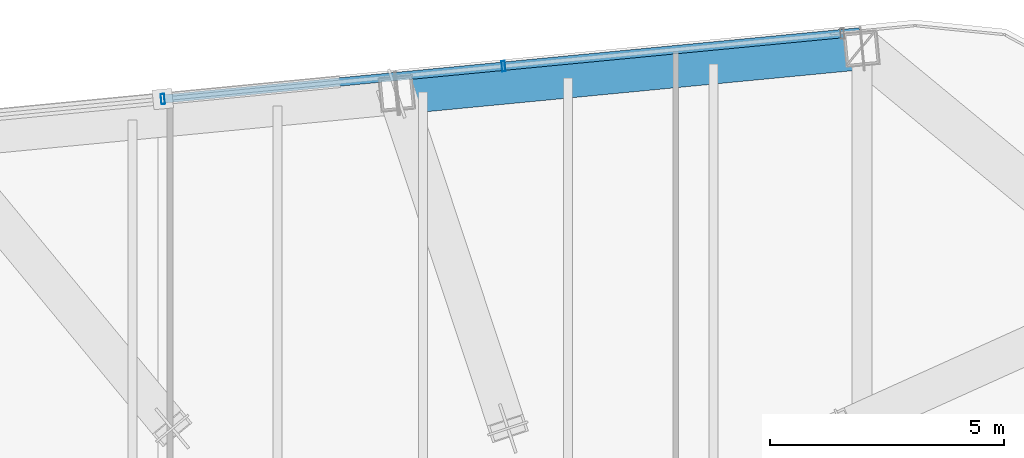
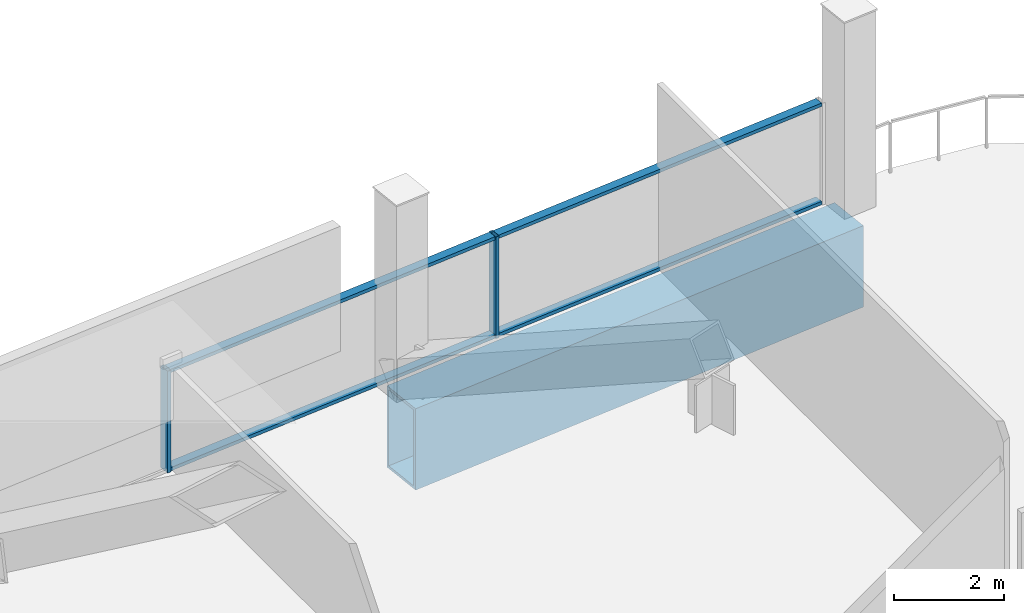
# One storey, part 13 of 22: 6 members, 1 beam, 1 element without a shape of its own.
"""IFC4 building model written with IfcOpenShell, lengths in metres."""

from ifc_helpers import new_model, si_unit, direction, frame, origin, origin_2d, place, context, subcontext, project, spatial, hollow_rectangle, extrude, material, layer, layer_set, material_profile, profile_set, type_object, element, aggregate, save


model = new_model("IFC4")

# Units and contexts
model_context = context("Model", 3, precision=1e-05, world=origin(), true_north=direction((0.0, 1.0)))
body_context = subcontext(model_context, "Body", "Model", "MODEL_VIEW")
ifc_project = project(units=[si_unit("LENGTHUNIT", "METRE"), si_unit("AREAUNIT", "SQUARE_METRE"), si_unit("VOLUMEUNIT", "CUBIC_METRE"), si_unit("PLANEANGLEUNIT", "RADIAN"), si_unit("MASSUNIT", "GRAM", prefix="KILO")], contexts=[model_context])

# Site, building, storey
site_placement = place(None, origin())
site = spatial("IfcSite", under=ifc_project, at=site_placement, CompositionType="ELEMENT")
building_placement = place(site_placement, origin())
building = spatial("IfcBuilding", under=site, at=building_placement, Name="Qhalaya Broadcast Tower", CompositionType="ELEMENT")
storey_placement = place(building_placement, frame((0.0, 0.0, 183.60009765625)))
storey = spatial("IfcBuildingStorey", under=building, at=storey_placement, Name="L54", CompositionType="ELEMENT", Elevation=183.60009765625)

# Beam
ifc_material_1 = material(Name="Structural Steel ASTM A572 Grade 50", Category="steel")
ifc_material_profile_1 = material_profile(ifc_material_1, hollow_rectangle(XDim=0.89990234375, YDim=1.800048828125, WallThickness=0.06005859375, at=origin_2d()), Name="BOX 900x1800x60")
ifc_profile_set_1 = profile_set([ifc_material_profile_1], Name="Structural Steel ASTM A572 Grade 50")
beam_type = type_object("IfcBeamType", Name="Block Cantilever Transfer Box Girder TG1", PredefinedType="USERDEFINED", material=ifc_profile_set_1)
beam_placement = place(storey_placement, frame((9.362060546875, 25.52783203125, -1.1201171875), z_axis=(-0.99539573508, -0.095850563819, 0.0), x_axis=(0.095850563819, -0.99539573508, 0.0)))
element("IfcBeam", 1, at=beam_placement, inside=storey, type_object=beam_type, Name="L54 TG1 L54-SPR-09", ObjectType="GIRDER", PredefinedType="USERDEFINED", context=body_context, shape_type="SweptSolid", body=[
    extrude(hollow_rectangle(XDim=0.89990234375, YDim=1.800048828125, WallThickness=0.06005859375, at=origin_2d()), origin(), (0.0, 0.0, 1.0), 9.966796875),
])

# Curtain wall, members
ifc_material_2 = material(Name="Fired Architectural Terracotta", Category="masonry")
ifc_layer = layer(ifc_material_2, 0.219970703125, Name="Fired Architectural Terracotta")
ifc_layer_set = layer_set([ifc_layer], Name="Fired Architectural Terracotta")
curtain_wall_type = type_object("IfcCurtainWallType", Name="Block-Cap Unitised Terracotta Spandrel Wall CW-07", PredefinedType="NOTDEFINED", material=ifc_layer_set)
curtain_wall_placement = place(storey_placement, origin())
curtain_wall = element("IfcCurtainWall", 2, at=curtain_wall_placement, inside=storey, type_object=curtain_wall_type, Name="L54 Unitised Curtain Wall L54-CW-N", PredefinedType="NOTDEFINED")
ifc_material_3 = material(Name="Anodised Aluminium 6063-T6", Category="aluminium")
ifc_material_profile_2 = material_profile(ifc_material_3, hollow_rectangle(XDim=0.074951171875, YDim=0.219970703125, WallThickness=0.00390625, at=origin_2d()), Name="ALU-MUL 75x220x4")
ifc_profile_set_2 = profile_set([ifc_material_profile_2], Name="Anodised Aluminium 6063-T6")
member_type_1 = type_object("IfcMemberType", Name="Unitised Curtain-Wall Mullion M01", PredefinedType="MULLION", material=ifc_profile_set_2)
member_1_placement = place(storey_placement, frame((-5.5537109375, 24.453369140625, 0.0), z_axis=(0.0, 0.0, 1.0), x_axis=(0.995396167806, 0.095846069906, 0.0)))
member_1 = element("IfcMember", 3, at=member_1_placement, type_object=member_type_1, Name="CW-07 mullion 3", PredefinedType="MULLION", context=body_context, shape_type="SweptSolid", body=[
    extrude(hollow_rectangle(XDim=0.074951171875, YDim=0.219970703125, WallThickness=0.00390625, at=origin_2d()), origin(), (0.0, 0.0, 1.0), 2.25),
])
member_2_placement = place(storey_placement, frame((1.71875, 25.153564453125, 0.0), z_axis=(0.0, 0.0, 1.0), x_axis=(0.995396167806, 0.095846069906, 0.0)))
member_2 = element("IfcMember", 4, at=member_2_placement, type_object=member_type_1, Name="CW-07 mullion 4", PredefinedType="MULLION", context=body_context, shape_type="SweptSolid", body=[
    extrude(hollow_rectangle(XDim=0.074951171875, YDim=0.219970703125, WallThickness=0.00390625, at=origin_2d()), origin(), (0.0, 0.0, 1.0), 2.25),
])
ifc_material_profile_3 = material_profile(ifc_material_3, hollow_rectangle(XDim=0.074951171875, YDim=0.179931640625, WallThickness=0.00390625, at=origin_2d()), Name="ALU-TRN 75x180x4")
ifc_profile_set_3 = profile_set([ifc_material_profile_3], Name="Anodised Aluminium 6063-T6")
member_type_2 = type_object("IfcMemberType", Name="Unitised Curtain-Wall Transom T01", PredefinedType="USERDEFINED", material=ifc_profile_set_3)
member_3_placement = place(storey_placement, frame((-5.516357421875, 24.456787109375, 0.037353515625), z_axis=(0.995395533886, 0.095852653168, 0.0), x_axis=(0.0, 0.0, 1.0)))
member_3 = element("IfcMember", 5, at=member_3_placement, type_object=member_type_2, Name="CW-07 transom 3.1", ObjectType="TRANSOM", PredefinedType="USERDEFINED", context=body_context, shape_type="SweptSolid", body=[
    extrude(hollow_rectangle(XDim=0.074951171875, YDim=0.179931640625, WallThickness=0.00390625, at=origin_2d()), origin(), (0.0, 0.0, 1.0), 7.23095703125),
])
member_4_placement = place(storey_placement, frame((-5.516357421875, 24.456787109375, 2.21240234375), z_axis=(0.995395533886, 0.095852653168, 0.0), x_axis=(0.0, 0.0, 1.0)))
member_4 = element("IfcMember", 6, at=member_4_placement, type_object=member_type_2, Name="CW-07 transom 3.2", ObjectType="TRANSOM", PredefinedType="USERDEFINED", context=body_context, shape_type="SweptSolid", body=[
    extrude(hollow_rectangle(XDim=0.074951171875, YDim=0.179931640625, WallThickness=0.00390625, at=origin_2d()), origin(), (0.0, 0.0, 1.0), 7.23095703125),
])
member_5_placement = place(storey_placement, frame((1.755859375, 25.1572265625, 0.037353515625), z_axis=(0.99539639748, 0.095843684629, 0.0), x_axis=(0.0, 0.0, 1.0)))
member_5 = element("IfcMember", 7, at=member_5_placement, type_object=member_type_2, Name="CW-07 transom 4.1", ObjectType="TRANSOM", PredefinedType="USERDEFINED", context=body_context, shape_type="SweptSolid", body=[
    extrude(hollow_rectangle(XDim=0.074951171875, YDim=0.179931640625, WallThickness=0.00390625, at=origin_2d()), origin(), (0.0, 0.0, 1.0), 7.193603515625),
])
member_6_placement = place(storey_placement, frame((1.755859375, 25.1572265625, 2.21240234375), z_axis=(0.99539639748, 0.095843684629, 0.0), x_axis=(0.0, 0.0, 1.0)))
member_6 = element("IfcMember", 8, at=member_6_placement, type_object=member_type_2, Name="CW-07 transom 4.2", ObjectType="TRANSOM", PredefinedType="USERDEFINED", context=body_context, shape_type="SweptSolid", body=[
    extrude(hollow_rectangle(XDim=0.074951171875, YDim=0.179931640625, WallThickness=0.00390625, at=origin_2d()), origin(), (0.0, 0.0, 1.0), 7.193603515625),
])
aggregate(curtain_wall, [member_1, member_2, member_3, member_4, member_5, member_6])

save(model, "model.ifc")
